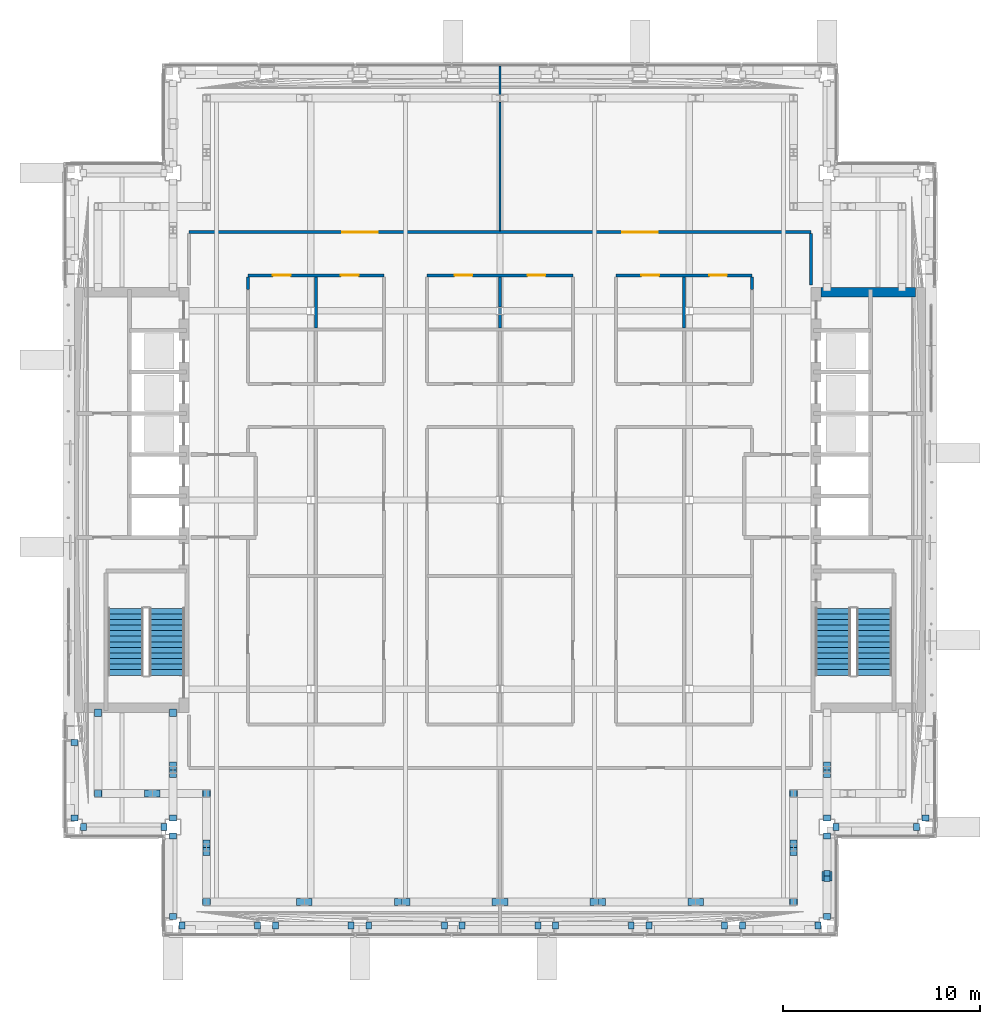
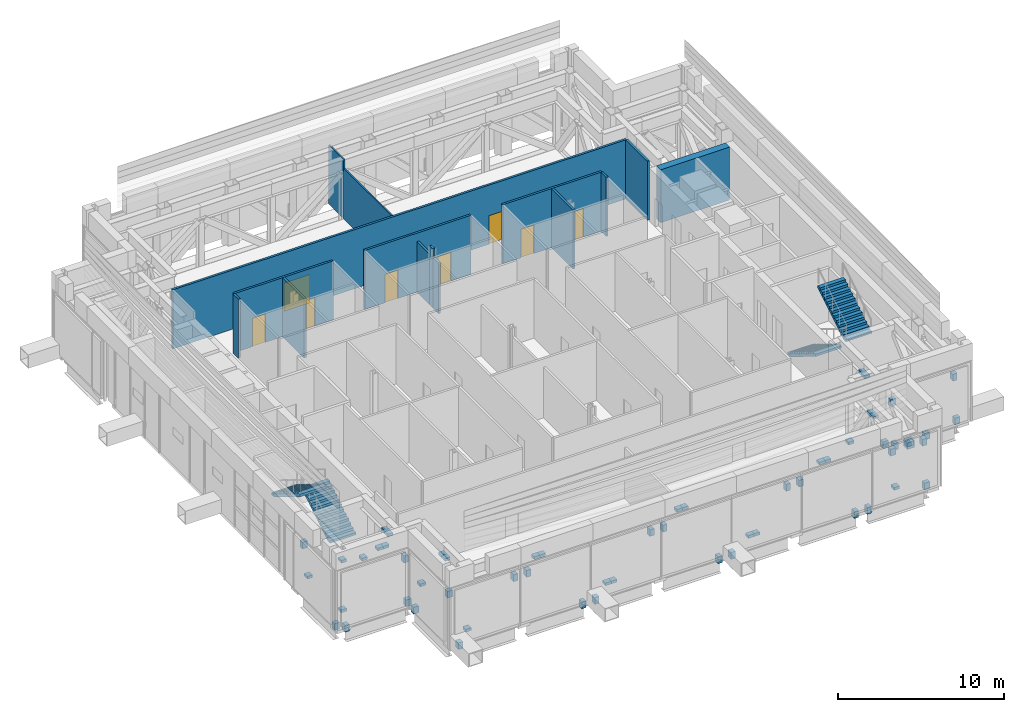
# One storey, part 14 of 29: 64 discrete accessories, 15 walls, 8 doors, 4 stair flights, 8 openings, 2 elements without a shape of their own.
"""IFC4 building model written with IfcOpenShell, lengths in metres."""

import ifcopenshell
import ifcopenshell.guid

model = None  # the IFC model being written
_history = None  # IfcOwnerHistory: only IFC2X3 demands one
_inside = {}  # id of a spatial element -> (the spatial element, [elements in it])
_under = {}  # id of a project, library or spatial element -> (it, [spatial elements below it])
_declared = {}  # id of a project -> (the project, [libraries it declares])
_typed = {}  # id of a type object -> (the type object, [elements of that type])
_made_of = {}  # id of a material, layer set ... -> (it, [elements and type objects made of it])


def new_model(schema):
    """Start an empty IFC model of exactly this schema.

    Asked for "IFC4X3", IfcOpenShell would pick the latest addendum, in which some entities
    have other attributes; the version numbers below select the first issue.
    IFC2X3 requires an IfcOwnerHistory on every rooted entity: one is made here for all.
    """
    global model, _history
    if schema == "IFC4X3":
        model = ifcopenshell.file(schema_version=(4, 3, 0, 0))
    else:
        model = ifcopenshell.file(schema=schema)
    _inside.clear()
    _under.clear()
    _declared.clear()
    _typed.clear()
    _made_of.clear()
    _history = None
    if model.schema == "IFC2X3":
        org = make("IfcOrganization", Name="unknown")
        user = make(
            "IfcPersonAndOrganization",
            ThePerson=make("IfcPerson", FamilyName="unknown"),
            TheOrganization=org,
        )
        app = make(
            "IfcApplication",
            ApplicationDeveloper=org,
            Version="unknown",
            ApplicationFullName="unknown",
            ApplicationIdentifier="unknown",
        )
        _history = make(
            "IfcOwnerHistory",
            OwningUser=user,
            OwningApplication=app,
            ChangeAction="ADDED",
            CreationDate=0,
        )
    return model


def make(cls, **values):
    """One entity of the class cls with the attributes given. An attribute that is None is left unset."""
    return model.create_entity(
        cls, **{name: value for name, value in values.items() if value is not None}
    )


def rooted(cls, **values):
    """An entity with a GlobalId (a new one), such as an element, a storey or a relation."""
    return make(cls, GlobalId=ifcopenshell.guid.new(), OwnerHistory=_history, **values)


def si_unit(unit_type, name, prefix=None):
    """IfcSIUnit, for example si_unit("LENGTHUNIT", "METRE", prefix="MILLI")."""
    return make("IfcSIUnit", UnitType=unit_type, Prefix=prefix, Name=name)


def assignment(units):
    """IfcUnitAssignment: the units of a project."""
    return None if units is None else make("IfcUnitAssignment", Units=units)


def point(xyz):
    """IfcCartesianPoint."""
    return None if xyz is None else make("IfcCartesianPoint", Coordinates=xyz)


def direction(xyz):
    """IfcDirection."""
    return None if xyz is None else make("IfcDirection", DirectionRatios=xyz)


def frame(location, z_axis=None, x_axis=None):
    """IfcAxis2Placement3D, a coordinate frame: its origin and axes. An axis left out is left unset."""
    return make(
        "IfcAxis2Placement3D",
        Location=point(location),
        Axis=direction(z_axis),
        RefDirection=direction(x_axis),
    )


def frame_2d(location, x_axis=None):
    """IfcAxis2Placement2D, a coordinate frame in the plane: its origin and x axis."""
    return make(
        "IfcAxis2Placement2D", Location=point(location), RefDirection=direction(x_axis)
    )


def origin():
    """The frame at (0, 0, 0) with its axes left unset."""
    return frame((0.0, 0.0, 0.0))


def origin_2d():
    """The frame at (0, 0) in the plane with its x axis left unset."""
    return frame_2d((0.0, 0.0))


def place(relative_to, where):
    """IfcLocalPlacement: puts the frame where relative to a parent placement (None: the world)."""
    return make(
        "IfcLocalPlacement", PlacementRelTo=relative_to, RelativePlacement=where
    )


def context(
    kind, dimensions, precision=None, world=None, true_north=None, identifier=None
):
    """IfcGeometricRepresentationContext, for example the 3D "Model" context."""
    return make(
        "IfcGeometricRepresentationContext",
        ContextIdentifier=identifier,
        ContextType=kind,
        CoordinateSpaceDimension=dimensions,
        Precision=precision,
        WorldCoordinateSystem=world,
        TrueNorth=true_north,
    )


def subcontext(parent, identifier, kind, view, scale=None):
    """IfcGeometricRepresentationSubContext, for example "Body" below "Model"."""
    return make(
        "IfcGeometricRepresentationSubContext",
        ContextIdentifier=identifier,
        ContextType=kind,
        ParentContext=parent,
        TargetScale=scale,
        TargetView=view,
    )


def project(units=None, contexts=None):
    """IfcProject with its units and contexts."""
    return rooted(
        "IfcProject",
        Name="project",
        RepresentationContexts=contexts,
        UnitsInContext=assignment(units),
    )


def spatial(cls, under=None, at=None, **own):
    """A site, building, storey or space (cls), placed at a placement, below another one or the project."""
    s = rooted(cls, ObjectPlacement=at, **own)
    if under is not None:
        _under.setdefault(under.id(), (under, []))[1].append(s)
    return s


def polyline(points):
    """IfcPolyline through the points."""
    return make("IfcPolyline", Points=[point(p) for p in points])


def profile(cls, at=None, kind="AREA", **sizes):
    """A parametric profile (cls). Its sizes go by their IFC names, for example OverallWidth=200.0."""
    return make(cls, ProfileType=kind, Position=at, **sizes)


def rectangle(**sizes):
    """IfcRectangleProfileDef."""
    return profile("IfcRectangleProfileDef", **sizes)


def outline(outer, holes=None, kind="AREA"):
    """IfcArbitraryClosedProfileDef: a profile drawn as a closed curve; with holes, ...WithVoids."""
    if holes is None:
        return make("IfcArbitraryClosedProfileDef", ProfileType=kind, OuterCurve=outer)
    return make(
        "IfcArbitraryProfileDefWithVoids",
        ProfileType=kind,
        OuterCurve=outer,
        InnerCurves=holes,
    )


def extrude(swept, where, along, depth):
    """IfcExtrudedAreaSolid: the profile swept, set in the frame where, extruded along a direction by depth."""
    return make(
        "IfcExtrudedAreaSolid",
        SweptArea=swept,
        Position=where,
        ExtrudedDirection=direction(along),
        Depth=depth,
    )


def shape(context_of_items, identifier, shape_type, items):
    """IfcShapeRepresentation: the items that make up one representation, for example the "Body"."""
    return make(
        "IfcShapeRepresentation",
        ContextOfItems=context_of_items,
        RepresentationIdentifier=identifier,
        RepresentationType=shape_type,
        Items=items,
    )


def material(Name=None, Category=None):
    """IfcMaterial."""
    return make("IfcMaterial", Name=Name, Category=Category)


def layer(
    of_material, thickness, ventilated=None, Name=None, Category=None, Priority=None
):
    """IfcMaterialLayer: one layer of a wall or slab, of a material (None: an air gap)."""
    return make(
        "IfcMaterialLayer",
        Material=of_material,
        LayerThickness=thickness,
        IsVentilated=ventilated,
        Name=Name,
        Category=Category,
        Priority=Priority,
    )


def layer_set(layers, Name=None):
    """IfcMaterialLayerSet."""
    return make("IfcMaterialLayerSet", MaterialLayers=layers, LayerSetName=Name)


def made_of(thing, what):
    """Note that an element or type object is made of a material, layer set ...; save() writes the relation."""
    if what is not None:
        _made_of.setdefault(what.id(), (what, []))[1].append(thing)
    return thing


def type_object(cls, material=None, **own):
    """A type object (cls), such as IfcWallType, which elements share."""
    return made_of(rooted(cls, **own), material)


def element(
    cls,
    number,
    at=None,
    inside=None,
    cuts=None,
    type_object=None,
    material=None,
    context=None,
    identifier="Body",
    shape_type=None,
    held_by="IfcProductDefinitionShape",
    body=None,
    shapes=None,
    **own,
):
    """One element of the class cls, such as IfcWall. Its Tag is "e" and its number.

    at: its placement. inside: the storey or other place that contains it. cuts: it is an
    opening in that element (IfcRelVoidsElement). A single representation is given by context,
    identifier, shape_type and body (its items); several are given by shapes. held_by: the class
    of the entity that holds the representations. save() writes the other relations.
    """
    e = rooted(cls, Tag="e%d" % number, ObjectPlacement=at, **own)
    if body is not None:
        shapes = [shape(context, identifier, shape_type, body)]
    if shapes is not None:
        e.Representation = make(held_by, Representations=shapes)
    if inside is not None:
        _inside.setdefault(inside.id(), (inside, []))[1].append(e)
    if cuts is not None:
        rooted(
            "IfcRelVoidsElement", RelatingBuildingElement=cuts, RelatedOpeningElement=e
        )
    if type_object is not None:
        _typed.setdefault(type_object.id(), (type_object, []))[1].append(e)
    return made_of(e, material)


def fill(opening, filler):
    """IfcRelFillsElement: the door or window that sits in an opening."""
    return rooted(
        "IfcRelFillsElement",
        RelatingOpeningElement=opening,
        RelatedBuildingElement=filler,
    )


def aggregate(whole, parts):
    """IfcRelAggregates: a whole, such as a stair, and the parts it consists of."""
    return rooted("IfcRelAggregates", RelatingObject=whole, RelatedObjects=parts)


def save(model, path):
    """Write the relations noted so far, then the file.

    IfcRelAggregates (storeys below a building ...), IfcRelContainedInSpatialStructure (elements
    in a storey), IfcRelDefinesByType, IfcRelAssociatesMaterial and IfcRelDeclares: one each for
    every whole, place, type object, material and project.
    """
    for whole, parts in _under.values():
        aggregate(whole, parts)
    for where, things in _inside.values():
        rooted(
            "IfcRelContainedInSpatialStructure",
            RelatedElements=things,
            RelatingStructure=where,
        )
    for kind, things in _typed.values():
        rooted("IfcRelDefinesByType", RelatedObjects=things, RelatingType=kind)
    for what, things in _made_of.values():
        rooted("IfcRelAssociatesMaterial", RelatedObjects=things, RelatingMaterial=what)
    for by, libraries in _declared.values():
        rooted("IfcRelDeclares", RelatingContext=by, RelatedDefinitions=libraries)
    model.write(path)


model = new_model("IFC4")

# Units and contexts
model_context = context("Model", 3, precision=1e-05, world=origin(), true_north=direction((0.0, 1.0)))
body_context = subcontext(model_context, "Body", "Model", "MODEL_VIEW")
ifc_project = project(units=[si_unit("LENGTHUNIT", "METRE"), si_unit("AREAUNIT", "SQUARE_METRE"), si_unit("VOLUMEUNIT", "CUBIC_METRE"), si_unit("PLANEANGLEUNIT", "RADIAN"), si_unit("MASSUNIT", "GRAM", prefix="KILO")], contexts=[model_context])

# Site, building, storey
site_placement = place(None, origin())
site = spatial("IfcSite", under=ifc_project, at=site_placement, CompositionType="ELEMENT")
building_placement = place(site_placement, origin())
building = spatial("IfcBuilding", under=site, at=building_placement, Name="Cobrizo Arcos Hotel Tower", CompositionType="ELEMENT")
storey_placement = place(building_placement, frame((0.0, 0.0, 186.5)))
storey = spatial("IfcBuildingStorey", under=building, at=storey_placement, Name="L48", CompositionType="ELEMENT", Elevation=186.5)

# Wall, openings, doors
ifc_material_1 = material(Name="Gypsum board partition")
ifc_layer_1 = layer(ifc_material_1, 0.14990234375)
ifc_layer_set_1 = layer_set([ifc_layer_1], Name="Corridor wall EI 60 150")
wall_type_1 = type_object("IfcWallType", Name="Corridor wall EI 60 150", PredefinedType="PARTITIONING", material=ifc_layer_set_1)
wall_1_placement = place(storey_placement, frame((-12.800048828125, 11.39990234375, 0.0), z_axis=(0.0, 0.0, 1.0), x_axis=(1.0, 0.0, 0.0)))
wall_1 = element("IfcWall", 1, at=wall_1_placement, inside=storey, type_object=wall_type_1, Name="Partition 035", PredefinedType="PARTITIONING", context=body_context, shape_type="SweptSolid", body=[
    extrude(rectangle(XDim=6.900146484375, YDim=0.14990234375, at=frame_2d((3.4501953125, 0.0))), origin(), (0.0, 0.0, 1.0), 4.35009765625),
])
opening_1_placement = place(wall_1_placement, frame((1.27490234375, 0.0, 0.0)))
opening_1 = element("IfcOpeningElement", 2, at=opening_1_placement, cuts=wall_1, Name="Opening RD-30", PredefinedType="OPENING", context=body_context, shape_type="SweptSolid", body=[
    extrude(rectangle(XDim=0.89990234375, YDim=2.10009765625, at=frame_2d((0.449951171875, 1.050048828125))), frame((0.0, 0.0869140625, 0.0), z_axis=(0.0, -1.0, 0.0), x_axis=(1.0, 0.0, 0.0)), (0.0, 0.0, 1.0), 0.173828125),
])
opening_2_placement = place(wall_1_placement, frame((4.72509765625, 0.0, 0.0)))
opening_2 = element("IfcOpeningElement", 3, at=opening_2_placement, cuts=wall_1, Name="Opening RD-32", PredefinedType="OPENING", context=body_context, shape_type="SweptSolid", body=[
    extrude(rectangle(XDim=0.89990234375, YDim=2.10009765625, at=frame_2d((0.449951171875, 1.050048828125))), frame((0.0, 0.0869140625, 0.0), z_axis=(0.0, -1.0, 0.0), x_axis=(1.0, 0.0, 0.0)), (0.0, 0.0, 1.0), 0.173828125),
])
ifc_material_2 = material(Name="Timber door leaf", Category="wood")
door_type_1 = type_object("IfcDoorType", Name="Room door FD30 900x2100", OperationType="SINGLE_SWING_LEFT", PredefinedType="DOOR", material=ifc_material_2)
door_1_placement = place(opening_1_placement, origin())
door_1 = element("IfcDoor", 4, at=door_1_placement, inside=storey, type_object=door_type_1, Name="Door RD-30", OperationType="SINGLE_SWING_RIGHT", OverallHeight=2.10009765625, OverallWidth=0.89990234375, PredefinedType="DOOR", context=body_context, shape_type="SweptSolid", body=[
    extrude(rectangle(XDim=0.89990234375, YDim=2.10009765625, at=frame_2d((0.449951171875, 1.050048828125))), frame((0.0, 0.02490234375, 0.0), z_axis=(0.0, -1.0, 0.0), x_axis=(1.0, 0.0, 0.0)), (0.0, 0.0, 1.0), 0.050048828125),
])
fill(opening_1, door_1)
door_2_placement = place(opening_2_placement, origin())
door_2 = element("IfcDoor", 5, at=door_2_placement, inside=storey, type_object=door_type_1, Name="Door RD-32", OperationType="SINGLE_SWING_RIGHT", OverallHeight=2.10009765625, OverallWidth=0.89990234375, PredefinedType="DOOR", context=body_context, shape_type="SweptSolid", body=[
    extrude(rectangle(XDim=0.89990234375, YDim=2.10009765625, at=frame_2d((0.449951171875, 1.050048828125))), frame((0.0, 0.02490234375, 0.0), z_axis=(0.0, -1.0, 0.0), x_axis=(1.0, 0.0, 0.0)), (0.0, 0.0, 1.0), 0.050048828125),
])
fill(opening_2, door_2)

wall_2_placement = place(storey_placement, frame((-3.699951171875, 11.39990234375, 0.0), z_axis=(0.0, 0.0, 1.0), x_axis=(1.0, 0.0, 0.0)))
wall_2 = element("IfcWall", 6, at=wall_2_placement, inside=storey, type_object=wall_type_1, Name="Partition 036", PredefinedType="PARTITIONING", context=body_context, shape_type="SweptSolid", body=[
    extrude(rectangle(XDim=7.39990234375, YDim=0.14990234375, at=frame_2d((3.699951171875, 0.0))), origin(), (0.0, 0.0, 1.0), 4.35009765625),
])
opening_3_placement = place(wall_2_placement, frame((1.39990234375, 0.0, 0.0)))
opening_3 = element("IfcOpeningElement", 7, at=opening_3_placement, cuts=wall_2, Name="Opening RD-22", PredefinedType="OPENING", context=body_context, shape_type="SweptSolid", body=[
    extrude(rectangle(XDim=0.89990234375, YDim=2.10009765625, at=frame_2d((0.449951171875, 1.050048828125))), frame((0.0, 0.0869140625, 0.0), z_axis=(0.0, -1.0, 0.0), x_axis=(1.0, 0.0, 0.0)), (0.0, 0.0, 1.0), 0.173828125),
])
opening_4_placement = place(wall_2_placement, frame((5.10009765625, 0.0, 0.0)))
opening_4 = element("IfcOpeningElement", 8, at=opening_4_placement, cuts=wall_2, Name="Opening RD-24", PredefinedType="OPENING", context=body_context, shape_type="SweptSolid", body=[
    extrude(rectangle(XDim=0.89990234375, YDim=2.10009765625, at=frame_2d((0.449951171875, 1.050048828125))), frame((0.0, 0.0869140625, 0.0), z_axis=(0.0, -1.0, 0.0), x_axis=(1.0, 0.0, 0.0)), (0.0, 0.0, 1.0), 0.173828125),
])
door_3_placement = place(opening_3_placement, origin())
door_3 = element("IfcDoor", 9, at=door_3_placement, inside=storey, type_object=door_type_1, Name="Door RD-22", OperationType="SINGLE_SWING_LEFT", OverallHeight=2.10009765625, OverallWidth=0.89990234375, PredefinedType="DOOR", context=body_context, shape_type="SweptSolid", body=[
    extrude(rectangle(XDim=0.89990234375, YDim=2.10009765625, at=frame_2d((0.449951171875, 1.050048828125))), frame((0.0, 0.02490234375, 0.0), z_axis=(0.0, -1.0, 0.0), x_axis=(1.0, 0.0, 0.0)), (0.0, 0.0, 1.0), 0.050048828125),
])
fill(opening_3, door_3)
door_4_placement = place(opening_4_placement, origin())
door_4 = element("IfcDoor", 10, at=door_4_placement, inside=storey, type_object=door_type_1, Name="Door RD-24", OperationType="SINGLE_SWING_RIGHT", OverallHeight=2.10009765625, OverallWidth=0.89990234375, PredefinedType="DOOR", context=body_context, shape_type="SweptSolid", body=[
    extrude(rectangle(XDim=0.89990234375, YDim=2.10009765625, at=frame_2d((0.449951171875, 1.050048828125))), frame((0.0, 0.02490234375, 0.0), z_axis=(0.0, -1.0, 0.0), x_axis=(1.0, 0.0, 0.0)), (0.0, 0.0, 1.0), 0.050048828125),
])
fill(opening_4, door_4)

wall_3_placement = place(storey_placement, frame((5.89990234375, 11.39990234375, 0.0), z_axis=(0.0, 0.0, 1.0), x_axis=(1.0, 0.0, 0.0)))
wall_3 = element("IfcWall", 11, at=wall_3_placement, inside=storey, type_object=wall_type_1, Name="Partition 037", PredefinedType="PARTITIONING", context=body_context, shape_type="SweptSolid", body=[
    extrude(rectangle(XDim=6.900146484375, YDim=0.14990234375, at=frame_2d((3.4501953125, 0.0))), origin(), (0.0, 0.0, 1.0), 4.35009765625),
])
opening_5_placement = place(wall_3_placement, frame((1.27490234375, 0.0, 0.0)))
opening_5 = element("IfcOpeningElement", 12, at=opening_5_placement, cuts=wall_3, Name="Opening RD-14", PredefinedType="OPENING", context=body_context, shape_type="SweptSolid", body=[
    extrude(rectangle(XDim=0.89990234375, YDim=2.10009765625, at=frame_2d((0.449951171875, 1.050048828125))), frame((0.0, 0.0869140625, 0.0), z_axis=(0.0, -1.0, 0.0), x_axis=(1.0, 0.0, 0.0)), (0.0, 0.0, 1.0), 0.173828125),
])
opening_6_placement = place(wall_3_placement, frame((4.72509765625, 0.0, 0.0)))
opening_6 = element("IfcOpeningElement", 13, at=opening_6_placement, cuts=wall_3, Name="Opening RD-16", PredefinedType="OPENING", context=body_context, shape_type="SweptSolid", body=[
    extrude(rectangle(XDim=0.89990234375, YDim=2.10009765625, at=frame_2d((0.449951171875, 1.050048828125))), frame((0.0, 0.0869140625, 0.0), z_axis=(0.0, -1.0, 0.0), x_axis=(1.0, 0.0, 0.0)), (0.0, 0.0, 1.0), 0.173828125),
])
door_5_placement = place(opening_5_placement, origin())
door_5 = element("IfcDoor", 14, at=door_5_placement, inside=storey, type_object=door_type_1, Name="Door RD-14", OperationType="SINGLE_SWING_LEFT", OverallHeight=2.10009765625, OverallWidth=0.89990234375, PredefinedType="DOOR", context=body_context, shape_type="SweptSolid", body=[
    extrude(rectangle(XDim=0.89990234375, YDim=2.10009765625, at=frame_2d((0.449951171875, 1.050048828125))), frame((0.0, 0.02490234375, 0.0), z_axis=(0.0, -1.0, 0.0), x_axis=(1.0, 0.0, 0.0)), (0.0, 0.0, 1.0), 0.050048828125),
])
fill(opening_5, door_5)
door_6_placement = place(opening_6_placement, origin())
door_6 = element("IfcDoor", 15, at=door_6_placement, inside=storey, type_object=door_type_1, Name="Door RD-16", OperationType="SINGLE_SWING_RIGHT", OverallHeight=2.10009765625, OverallWidth=0.89990234375, PredefinedType="DOOR", context=body_context, shape_type="SweptSolid", body=[
    extrude(rectangle(XDim=0.89990234375, YDim=2.10009765625, at=frame_2d((0.449951171875, 1.050048828125))), frame((0.0, 0.02490234375, 0.0), z_axis=(0.0, -1.0, 0.0), x_axis=(1.0, 0.0, 0.0)), (0.0, 0.0, 1.0), 0.050048828125),
])
fill(opening_6, door_6)

wall_4_placement = place(storey_placement, frame((-15.800048828125, 13.60009765625, 0.0), z_axis=(0.0, 0.0, 1.0), x_axis=(1.0, 0.0, 0.0)))
wall_4 = element("IfcWall", 16, at=wall_4_placement, inside=storey, type_object=wall_type_1, Name="Partition 038", PredefinedType="PARTITIONING", context=body_context, shape_type="SweptSolid", body=[
    extrude(rectangle(XDim=31.60009765625, YDim=0.14990234375, at=frame_2d((15.800048828125, 0.0))), origin(), (0.0, 0.0, 1.0), 4.35009765625),
])
opening_7_placement = place(wall_4_placement, frame((7.785888671875, 0.0, 0.0)))
opening_7 = element("IfcOpeningElement", 17, at=opening_7_placement, cuts=wall_4, Name="Opening DD-01", PredefinedType="OPENING", context=body_context, shape_type="SweptSolid", body=[
    extrude(rectangle(XDim=1.800048828125, YDim=2.10009765625, at=frame_2d((0.89990234375, 1.050048828125))), frame((0.0, 0.0869140625, 0.0), z_axis=(0.0, -1.0, 0.0), x_axis=(1.0, 0.0, 0.0)), (0.0, 0.0, 1.0), 0.173828125),
])
opening_8_placement = place(wall_4_placement, frame((22.014892578125, 0.0, 0.0)))
opening_8 = element("IfcOpeningElement", 18, at=opening_8_placement, cuts=wall_4, Name="Opening DD-02", PredefinedType="OPENING", context=body_context, shape_type="SweptSolid", body=[
    extrude(rectangle(XDim=1.800048828125, YDim=2.10009765625, at=frame_2d((0.89990234375, 1.050048828125))), frame((0.0, 0.0869140625, 0.0), z_axis=(0.0, -1.0, 0.0), x_axis=(1.0, 0.0, 0.0)), (0.0, 0.0, 1.0), 0.173828125),
])
door_type_2 = type_object("IfcDoorType", Name="Double door FD30 1800x2100", OperationType="DOUBLE_DOOR_SINGLE_SWING", PredefinedType="DOOR", material=ifc_material_2)
door_7_placement = place(opening_7_placement, origin())
door_7 = element("IfcDoor", 19, at=door_7_placement, inside=storey, type_object=door_type_2, Name="Door DD-01", OperationType="DOUBLE_DOOR_SINGLE_SWING", OverallHeight=2.10009765625, OverallWidth=1.800048828125, PredefinedType="DOOR", context=body_context, shape_type="SweptSolid", body=[
    extrude(rectangle(XDim=1.800048828125, YDim=2.10009765625, at=frame_2d((0.89990234375, 1.050048828125))), frame((0.0, 0.02490234375, 0.0), z_axis=(0.0, -1.0, 0.0), x_axis=(1.0, 0.0, 0.0)), (0.0, 0.0, 1.0), 0.050048828125),
])
fill(opening_7, door_7)
door_8_placement = place(opening_8_placement, origin())
door_8 = element("IfcDoor", 20, at=door_8_placement, inside=storey, type_object=door_type_2, Name="Door DD-02", OperationType="DOUBLE_DOOR_SINGLE_SWING", OverallHeight=2.10009765625, OverallWidth=1.800048828125, PredefinedType="DOOR", context=body_context, shape_type="SweptSolid", body=[
    extrude(rectangle(XDim=1.800048828125, YDim=2.10009765625, at=frame_2d((0.89990234375, 1.050048828125))), frame((0.0, 0.02490234375, 0.0), z_axis=(0.0, -1.0, 0.0), x_axis=(1.0, 0.0, 0.0)), (0.0, 0.0, 1.0), 0.050048828125),
])
fill(opening_8, door_8)

# Walls
wall_5_placement = place(storey_placement, frame((-12.800048828125, 10.699951171875, 0.0), z_axis=(0.0, 0.0, 1.0), x_axis=(0.0, 1.0, 0.0)))
element("IfcWall", 21, at=wall_5_placement, inside=storey, type_object=wall_type_1, Name="Partition 048", PredefinedType="PARTITIONING", context=body_context, shape_type="SweptSolid", body=[
    extrude(rectangle(XDim=0.625, YDim=0.14990234375, at=frame_2d((0.3125, 0.0))), origin(), (0.0, 0.0, 1.0), 4.35009765625),
])
wall_6_placement = place(storey_placement, frame((-9.35009765625, 8.72509765625, 0.0), z_axis=(0.0, 0.0, 1.0), x_axis=(0.0, 1.0, 0.0)))
element("IfcWall", 22, at=wall_6_placement, inside=storey, type_object=wall_type_1, Name="Partition 053", PredefinedType="PARTITIONING", context=body_context, shape_type="SweptSolid", body=[
    extrude(rectangle(XDim=2.599853515625, YDim=0.14990234375, at=frame_2d((1.2998046875, 0.0))), origin(), (0.0, 0.0, 1.0), 4.35009765625),
])
wall_7_placement = place(storey_placement, frame((0.0, 8.72509765625, 0.0), z_axis=(0.0, 0.0, 1.0), x_axis=(0.0, 1.0, 0.0)))
element("IfcWall", 23, at=wall_7_placement, inside=storey, type_object=wall_type_1, Name="Partition 067", PredefinedType="PARTITIONING", context=body_context, shape_type="SweptSolid", body=[
    extrude(rectangle(XDim=0.68798828125, YDim=0.14990234375, at=frame_2d((0.343994140625, 0.0))), origin(), (0.0, 0.0, 1.0), 3.72802734375),
])
wall_8_placement = place(storey_placement, frame((0.0, 9.4130859375, 0.0), z_axis=(0.0, 0.0, 1.0), x_axis=(0.0, 1.0, 0.0)))
element("IfcWall", 24, at=wall_8_placement, inside=storey, type_object=wall_type_1, Name="Partition 068", PredefinedType="PARTITIONING", context=body_context, shape_type="SweptSolid", body=[
    extrude(rectangle(XDim=0.3740234375, YDim=0.14990234375, at=frame_2d((0.18701171875, 0.0))), origin(), (0.0, 0.0, 1.0), 4.35009765625),
])
wall_9_placement = place(storey_placement, frame((0.0, 9.787109375, 0.0), z_axis=(0.0, 0.0, 1.0), x_axis=(0.0, 1.0, 0.0)))
element("IfcWall", 25, at=wall_9_placement, inside=storey, type_object=wall_type_1, Name="Partition 069", PredefinedType="PARTITIONING", context=body_context, shape_type="SweptSolid", body=[
    extrude(rectangle(XDim=1.537841796875, YDim=0.14990234375, at=frame_2d((0.76904296875, 0.0))), origin(), (0.0, 0.0, 1.0), 3.72802734375),
])
wall_10_placement = place(storey_placement, frame((9.35009765625, 8.72509765625, 0.0), z_axis=(0.0, 0.0, 1.0), x_axis=(0.0, 1.0, 0.0)))
element("IfcWall", 26, at=wall_10_placement, inside=storey, type_object=wall_type_1, Name="Partition 079", PredefinedType="PARTITIONING", context=body_context, shape_type="SweptSolid", body=[
    extrude(rectangle(XDim=2.599853515625, YDim=0.14990234375, at=frame_2d((1.2998046875, 0.0))), origin(), (0.0, 0.0, 1.0), 4.35009765625),
])
wall_11_placement = place(storey_placement, frame((12.800048828125, 10.699951171875, 0.0), z_axis=(0.0, 0.0, 1.0), x_axis=(0.0, 1.0, 0.0)))
element("IfcWall", 27, at=wall_11_placement, inside=storey, type_object=wall_type_1, Name="Partition 084", PredefinedType="PARTITIONING", context=body_context, shape_type="SweptSolid", body=[
    extrude(rectangle(XDim=0.625, YDim=0.14990234375, at=frame_2d((0.3125, 0.0))), origin(), (0.0, 0.0, 1.0), 4.35009765625),
])
wall_12_placement = place(storey_placement, frame((15.800048828125, 10.919921875, 0.0), z_axis=(0.0, 0.0, 1.0), x_axis=(0.0, 1.0, 0.0)))
element("IfcWall", 28, at=wall_12_placement, inside=storey, type_object=wall_type_1, Name="Partition 086", PredefinedType="PARTITIONING", context=body_context, shape_type="SweptSolid", body=[
    extrude(rectangle(XDim=2.60498046875, YDim=0.14990234375, at=frame_2d((1.302490234375, 0.0))), origin(), (0.0, 0.0, 1.0), 4.35009765625),
])
ifc_layer_2 = layer(ifc_material_1, 0.10009765625)
ifc_layer_set_2 = layer_set([ifc_layer_2], Name="Partition EI 30 100")
wall_type_2 = type_object("IfcWallType", Name="Partition EI 30 100", PredefinedType="PARTITIONING", material=ifc_layer_set_2)
wall_13_placement = place(storey_placement, frame((0.0, 13.675048828125, 0.0), z_axis=(0.0, 0.0, 1.0), x_axis=(0.0, 1.0, 0.0)))
element("IfcWall", 29, at=wall_13_placement, inside=storey, type_object=wall_type_2, Name="Partition 070", PredefinedType="PARTITIONING", context=body_context, shape_type="SweptSolid", body=[
    extrude(rectangle(XDim=6.52490234375, YDim=0.10009765625, at=frame_2d((3.262451171875, 0.0))), origin(), (0.0, 0.0, 1.0), 3.72802734375),
])
wall_14_placement = place(storey_placement, frame((0.0, 20.199462890625, 0.0), z_axis=(0.0, 0.0, 1.0), x_axis=(0.0, 1.0, 0.0)))
element("IfcWall", 30, at=wall_14_placement, inside=storey, type_object=wall_type_2, Name="Partition 071", PredefinedType="PARTITIONING", context=body_context, shape_type="SweptSolid", body=[
    extrude(rectangle(XDim=1.83056640625, YDim=0.10009765625, at=frame_2d((0.915283203125, 0.0))), origin(), (0.0, 0.0, 1.0), 4.35009765625),
])
ifc_material_3 = material(Name="Concrete f'c 50 MPa", Category="concrete")
ifc_layer_3 = layer(ifc_material_3, 0.5)
ifc_layer_set_3 = layer_set([ifc_layer_3], Name="RC core wall 500 f'c 50")
wall_type_3 = type_object("IfcWallType", Name="RC core wall 500 f'c 50", PredefinedType="SHEAR", material=ifc_layer_set_3)
wall_15_placement = place(storey_placement, frame((16.300048828125, 10.550048828125, 0.0), z_axis=(0.0, 0.0, 1.0), x_axis=(1.0, 0.0, 0.0)))
element("IfcWall", 31, at=wall_15_placement, inside=storey, type_object=wall_type_3, Name="Core wall CW3, east core, north end, L48", PredefinedType="SHEAR", context=body_context, shape_type="SweptSolid", body=[
    extrude(rectangle(XDim=4.800048828125, YDim=0.5, at=frame_2d((2.39990234375, 0.0))), origin(), (0.0, 0.0, 1.0), 3.89990234375),
])

# Stair, stair flights
ifc_material_4 = material(Name="Concrete f'c 40 MPa", Category="concrete")
stair_type = type_object("IfcStairType", Name="Exit stair", PredefinedType="HALF_TURN_STAIR", material=ifc_material_4)
stair_1_placement = place(storey_placement, origin())
stair_1 = element("IfcStair", 32, at=stair_1_placement, inside=storey, type_object=stair_type, Name="L48 Exit stair ST-W", PredefinedType="HALF_TURN_STAIR")
stair_flight_type = type_object("IfcStairFlightType", Name="Exit stair flight", PredefinedType="STRAIGHT", material=ifc_material_4)
stair_flight_1_placement = place(storey_placement, frame((-16.89990234375, -8.89990234375, 0.0), z_axis=(0.0, 0.0, 1.0), x_axis=(0.0, 1.0, 0.0)))
stair_flight_1 = element("IfcStairFlight", 33, at=stair_flight_1_placement, type_object=stair_flight_type, Name="ST-W flight 1", NumberOfRisers=13, NumberOfTreads=12, PredefinedType="STRAIGHT", RiserHeight=0.173076923, TreadLength=0.283333333, context=body_context, shape_type="SweptSolid", body=[
    extrude(outline(polyline([(0.0, 0.0), (0.0, 0.173095703125), (0.283447265625, 0.173095703125), (0.283447265625, 0.34619140625), (0.566650390625, 0.34619140625), (0.566650390625, 0.519287109375), (0.85009765625, 0.519287109375), (0.85009765625, 0.6923828125), (1.13330078125, 0.6923828125), (1.13330078125, 0.865478515625), (1.416748046875, 0.865478515625), (1.416748046875, 1.03857421875), (1.699951171875, 1.03857421875), (1.699951171875, 1.21142578125), (1.9833984375, 1.21142578125), (1.9833984375, 1.384521484375), (2.2666015625, 1.384521484375), (2.2666015625, 1.5576171875), (2.550048828125, 1.5576171875), (2.550048828125, 1.730712890625), (2.833251953125, 1.730712890625), (2.833251953125, 1.90380859375), (3.11669921875, 1.90380859375), (3.11669921875, 2.076904296875), (3.39990234375, 2.076904296875), (3.39990234375, 2.25), (3.39990234375, 1.9013671875), (0.28759765625, 0.0), (0.0, 0.0)])), frame((0.0, 0.89990234375, 0.0), z_axis=(0.0, -1.0, 0.0), x_axis=(1.0, 0.0, 0.0)), (0.0, 0.0, 1.0), 1.800048828125),
])
stair_flight_2_placement = place(storey_placement, frame((-19.0, -5.5, 2.25), z_axis=(0.0, 0.0, 1.0), x_axis=(0.0, -1.0, 0.0)))
stair_flight_2 = element("IfcStairFlight", 34, at=stair_flight_2_placement, type_object=stair_flight_type, Name="ST-W flight 2", NumberOfRisers=13, NumberOfTreads=12, PredefinedType="STRAIGHT", RiserHeight=0.173076923, TreadLength=0.283333333, context=body_context, shape_type="SweptSolid", body=[
    extrude(outline(polyline([(0.0, 0.0), (0.0, 0.173095703125), (0.283447265625, 0.173095703125), (0.283447265625, 0.34619140625), (0.566650390625, 0.34619140625), (0.566650390625, 0.519287109375), (0.85009765625, 0.519287109375), (0.85009765625, 0.6923828125), (1.13330078125, 0.6923828125), (1.13330078125, 0.865478515625), (1.416748046875, 0.865478515625), (1.416748046875, 1.03857421875), (1.699951171875, 1.03857421875), (1.699951171875, 1.21142578125), (1.9833984375, 1.21142578125), (1.9833984375, 1.384521484375), (2.2666015625, 1.384521484375), (2.2666015625, 1.5576171875), (2.550048828125, 1.5576171875), (2.550048828125, 1.730712890625), (2.833251953125, 1.730712890625), (2.833251953125, 1.90380859375), (3.11669921875, 1.90380859375), (3.11669921875, 2.076904296875), (3.39990234375, 2.076904296875), (3.39990234375, 2.25), (3.39990234375, 1.9013671875), (0.28759765625, 0.0), (0.0, 0.0)])), frame((0.0, 0.89990234375, 0.0), z_axis=(0.0, -1.0, 0.0), x_axis=(1.0, 0.0, 0.0)), (0.0, 0.0, 1.0), 1.800048828125),
])
aggregate(stair_1, [stair_flight_1, stair_flight_2])

stair_2_placement = place(storey_placement, origin())
stair_2 = element("IfcStair", 35, at=stair_2_placement, inside=storey, type_object=stair_type, Name="L48 Exit stair ST-E", PredefinedType="HALF_TURN_STAIR")
stair_flight_3_placement = place(storey_placement, frame((16.89990234375, -5.5, 0.0), z_axis=(0.0, 0.0, 1.0), x_axis=(0.0, -1.0, 0.0)))
stair_flight_3 = element("IfcStairFlight", 36, at=stair_flight_3_placement, type_object=stair_flight_type, Name="ST-E flight 1", NumberOfRisers=13, NumberOfTreads=12, PredefinedType="STRAIGHT", RiserHeight=0.173076923, TreadLength=0.283333333, context=body_context, shape_type="SweptSolid", body=[
    extrude(outline(polyline([(0.0, 0.0), (0.0, 0.173095703125), (0.283447265625, 0.173095703125), (0.283447265625, 0.34619140625), (0.566650390625, 0.34619140625), (0.566650390625, 0.519287109375), (0.85009765625, 0.519287109375), (0.85009765625, 0.6923828125), (1.13330078125, 0.6923828125), (1.13330078125, 0.865478515625), (1.416748046875, 0.865478515625), (1.416748046875, 1.03857421875), (1.699951171875, 1.03857421875), (1.699951171875, 1.21142578125), (1.9833984375, 1.21142578125), (1.9833984375, 1.384521484375), (2.2666015625, 1.384521484375), (2.2666015625, 1.5576171875), (2.550048828125, 1.5576171875), (2.550048828125, 1.730712890625), (2.833251953125, 1.730712890625), (2.833251953125, 1.90380859375), (3.11669921875, 1.90380859375), (3.11669921875, 2.076904296875), (3.39990234375, 2.076904296875), (3.39990234375, 2.25), (3.39990234375, 1.9013671875), (0.28759765625, 0.0), (0.0, 0.0)])), frame((0.0, 0.89990234375, 0.0), z_axis=(0.0, -1.0, 0.0), x_axis=(1.0, 0.0, 0.0)), (0.0, 0.0, 1.0), 1.800048828125),
])
stair_flight_4_placement = place(storey_placement, frame((19.0, -8.89990234375, 2.25), z_axis=(0.0, 0.0, 1.0), x_axis=(0.0, 1.0, 0.0)))
stair_flight_4 = element("IfcStairFlight", 37, at=stair_flight_4_placement, type_object=stair_flight_type, Name="ST-E flight 2", NumberOfRisers=13, NumberOfTreads=12, PredefinedType="STRAIGHT", RiserHeight=0.173076923, TreadLength=0.283333333, context=body_context, shape_type="SweptSolid", body=[
    extrude(outline(polyline([(0.0, 0.0), (0.0, 0.173095703125), (0.283447265625, 0.173095703125), (0.283447265625, 0.34619140625), (0.566650390625, 0.34619140625), (0.566650390625, 0.519287109375), (0.85009765625, 0.519287109375), (0.85009765625, 0.6923828125), (1.13330078125, 0.6923828125), (1.13330078125, 0.865478515625), (1.416748046875, 0.865478515625), (1.416748046875, 1.03857421875), (1.699951171875, 1.03857421875), (1.699951171875, 1.21142578125), (1.9833984375, 1.21142578125), (1.9833984375, 1.384521484375), (2.2666015625, 1.384521484375), (2.2666015625, 1.5576171875), (2.550048828125, 1.5576171875), (2.550048828125, 1.730712890625), (2.833251953125, 1.730712890625), (2.833251953125, 1.90380859375), (3.11669921875, 1.90380859375), (3.11669921875, 2.076904296875), (3.39990234375, 2.076904296875), (3.39990234375, 2.25), (3.39990234375, 1.9013671875), (0.28759765625, 0.0), (0.0, 0.0)])), frame((0.0, 0.89990234375, 0.0), z_axis=(0.0, -1.0, 0.0), x_axis=(1.0, 0.0, 0.0)), (0.0, 0.0, 1.0), 1.800048828125),
])
aggregate(stair_2, [stair_flight_3, stair_flight_4])

# Discrete accessories
ifc_material_5 = material(Name="Steel ASTM A572 Grade 50", Category="steel")
discrete_accessory_type_1 = type_object("IfcDiscreteAccessoryType", Name="GP-2 node plate block 500x500x500", PredefinedType="BRACKET", material=ifc_material_5)
discrete_accessory_placement = place(storey_placement, frame((16.60009765625, -19.10009765625, 1.27978515625), z_axis=(0.0, 0.0, 1.0), x_axis=(1.0, 0.0, 0.0)))
element("IfcDiscreteAccessory", 38, at=discrete_accessory_placement, inside=storey, type_object=discrete_accessory_type_1, Name="Gusset plate bt-td-L48-008", PredefinedType="BRACKET", context=body_context, shape_type="SweptSolid", body=[
    extrude(rectangle(XDim=0.5, YDim=0.5, at=origin_2d()), origin(), (0.0, 0.0, 1.0), 0.5),
])
discrete_accessory_type_2 = type_object("IfcDiscreteAccessoryType", Name="GP-3 truss end block 300x360x500", PredefinedType="BRACKET", material=ifc_material_5)
for number, where, z_axis, x_axis, name in (
    (39, (-16.14990234375, -21.60009765625, -0.550048828125), (0.0, 0.0, 1.0), (1.0, 0.0, 0.0), "Truss end block"),
    (40, (-12.306884765625, -21.60009765625, 3.109375), (0.0, 0.0, 1.0), (-1.0, 0.0, 0.0), "Truss end block"),
    (41, (-11.406982421875, -21.60009765625, 3.109375), (0.0, 0.0, 1.0), (1.0, 0.0, 0.0), "Truss end block"),
    (42, (-7.56396484375, -21.60009765625, -0.550048828125), (0.0, 0.0, 1.0), (-1.0, 0.0, 0.0), "Truss end block"),
    (43, (-6.6640625, -21.60009765625, -0.550048828125), (0.0, 0.0, 1.0), (1.0, 0.0, 0.0), "Truss end block"),
    (44, (-2.821044921875, -21.60009765625, 3.109375), (0.0, 0.0, 1.0), (-1.0, 0.0, 0.0), "Truss end block"),
    (45, (-1.9208984375, -21.60009765625, 3.109375), (0.0, 0.0, 1.0), (1.0, 0.0, 0.0), "Truss end block"),
    (46, (1.9208984375, -21.60009765625, -0.550048828125), (0.0, 0.0, 1.0), (-1.0, 0.0, 0.0), "Truss end block"),
    (47, (2.821044921875, -21.60009765625, -0.550048828125), (0.0, 0.0, 1.0), (1.0, 0.0, 0.0), "Truss end block"),
    (48, (6.6640625, -21.60009765625, 3.109375), (0.0, 0.0, 1.0), (-1.0, 0.0, 0.0), "Truss end block"),
    (49, (7.56396484375, -21.60009765625, 3.109375), (0.0, 0.0, 1.0), (1.0, 0.0, 0.0), "Truss end block"),
    (50, (11.406982421875, -21.60009765625, -0.550048828125), (0.0, 0.0, 1.0), (-1.0, 0.0, 0.0), "Truss end block"),
    (51, (12.306884765625, -21.60009765625, -0.550048828125), (0.0, 0.0, 1.0), (1.0, 0.0, 0.0), "Truss end block"),
    (52, (16.14990234375, -21.60009765625, 3.109375), (0.0, 0.0, 1.0), (-1.0, 0.0, 0.0), "Truss end block"),
    (53, (16.60009765625, -21.14990234375, -0.550048828125), (0.0, 0.0, 1.0), (0.0, 1.0, 0.0), "Truss end block"),
    (54, (16.60009765625, -17.050048828125, 3.109375), (0.0, 0.0, 1.0), (0.0, -1.0, 0.0), "Truss end block"),
    (55, (17.050048828125, -16.60009765625, -0.550048828125), (0.0, 0.0, 1.0), (1.0, 0.0, 0.0), "Truss end block"),
    (56, (21.14990234375, -16.60009765625, 3.109375), (0.0, 0.0, 1.0), (-1.0, 0.0, 0.0), "Truss end block"),
    (57, (21.60009765625, -16.14990234375, -0.550048828125), (0.0, 0.0, 1.0), (0.0, 1.0, 0.0), "Truss end block"),
    (58, (-21.60009765625, -12.306884765625, 3.109375), (0.0, 0.0, 1.0), (0.0, -1.0, 0.0), "Truss end block"),
    (59, (-21.60009765625, -16.14990234375, -0.550048828125), (0.0, 0.0, 1.0), (0.0, 1.0, 0.0), "Truss end block"),
    (60, (-21.14990234375, -16.60009765625, -0.550048828125), (0.0, 0.0, 1.0), (1.0, 0.0, 0.0), "Truss end block"),
    (61, (-17.050048828125, -16.60009765625, 3.109375), (0.0, 0.0, 1.0), (-1.0, 0.0, 0.0), "Truss end block"),
    (62, (-16.60009765625, -17.050048828125, -0.550048828125), (0.0, 0.0, 1.0), (0.0, -1.0, 0.0), "Truss end block"),
    (63, (-16.60009765625, -21.14990234375, 3.109375), (0.0, 0.0, 1.0), (0.0, 1.0, 0.0), "Truss end block"),
    (64, (16.60009765625, -16.14990234375, -0.550048828125), (0.0, 0.0, 1.0), (0.0, 1.0, 0.0), "Truss end block"),
    (65, (16.60009765625, -17.050048828125, -0.550048828125), (0.0, 0.0, 1.0), (0.0, -1.0, 0.0), "Truss end block"),
    (66, (16.60009765625, -21.14990234375, 3.109375), (0.0, 0.0, 1.0), (0.0, 1.0, 0.0), "Truss end block"),
    (67, (-16.60009765625, -16.14990234375, -0.550048828125), (0.0, 0.0, 1.0), (0.0, 1.0, 0.0), "Truss end block"),
):
    element("IfcDiscreteAccessory", number, at=place(storey_placement, frame(where, z_axis=z_axis, x_axis=x_axis)), inside=storey, type_object=discrete_accessory_type_2, Name=name, PredefinedType="BRACKET", context=body_context, shape_type="SweptSolid", body=[
        extrude(rectangle(XDim=0.300048828125, YDim=0.360107421875, at=origin_2d()), origin(), (0.0, 0.0, 1.0), 0.5),
    ])
discrete_accessory_type_3 = type_object("IfcDiscreteAccessoryType", Name="GP-4 truss chord plate 400x360x200", PredefinedType="BRACKET", material=ifc_material_5)
for number, where, z_axis, x_axis, name in (
    (68, (-14.89990234375, -20.39990234375, -0.39990234375), (0.0, 0.0, 1.0), (1.0, 0.0, 0.0), "Truss chord plate"),
    (69, (-10.133056640625, -20.39990234375, 3.25927734375), (0.0, 0.0, 1.0), (1.0, 0.0, 0.0), "Truss chord plate"),
    (70, (-9.73291015625, -20.39990234375, 3.25927734375), (0.0, 0.0, 1.0), (1.0, 0.0, 0.0), "Truss chord plate"),
    (71, (-5.1669921875, -20.39990234375, -0.39990234375), (0.0, 0.0, 1.0), (1.0, 0.0, 0.0), "Truss chord plate"),
    (72, (-4.76708984375, -20.39990234375, -0.39990234375), (0.0, 0.0, 1.0), (1.0, 0.0, 0.0), "Truss chord plate"),
    (73, (-0.199951171875, -20.39990234375, 3.25927734375), (0.0, 0.0, 1.0), (1.0, 0.0, 0.0), "Truss chord plate"),
    (74, (0.199951171875, -20.39990234375, 3.25927734375), (0.0, 0.0, 1.0), (1.0, 0.0, 0.0), "Truss chord plate"),
    (75, (4.76708984375, -20.39990234375, -0.39990234375), (0.0, 0.0, 1.0), (1.0, 0.0, 0.0), "Truss chord plate"),
    (76, (5.1669921875, -20.39990234375, -0.39990234375), (0.0, 0.0, 1.0), (1.0, 0.0, 0.0), "Truss chord plate"),
    (77, (9.73291015625, -20.39990234375, 3.25927734375), (0.0, 0.0, 1.0), (1.0, 0.0, 0.0), "Truss chord plate"),
    (78, (10.133056640625, -20.39990234375, 3.25927734375), (0.0, 0.0, 1.0), (1.0, 0.0, 0.0), "Truss chord plate"),
    (79, (14.89990234375, -20.39990234375, -0.39990234375), (0.0, 0.0, 1.0), (1.0, 0.0, 0.0), "Truss chord plate"),
    (80, (14.89990234375, -20.39990234375, -0.39990234375), (0.0, 0.0, 1.0), (0.0, 1.0, 0.0), "Truss chord plate"),
    (81, (14.89990234375, -17.85009765625, 3.25927734375), (0.0, 0.0, 1.0), (0.0, 1.0, 0.0), "Truss chord plate"),
    (82, (14.89990234375, -17.449951171875, 3.25927734375), (0.0, 0.0, 1.0), (0.0, 1.0, 0.0), "Truss chord plate"),
    (83, (14.89990234375, -14.89990234375, -0.39990234375), (0.0, 0.0, 1.0), (0.0, 1.0, 0.0), "Truss chord plate"),
    (84, (14.89990234375, -14.89990234375, -0.39990234375), (0.0, 0.0, 1.0), (1.0, 0.0, 0.0), "Truss chord plate"),
    (85, (-20.39990234375, -10.801025390625, -0.39990234375), (0.0, 0.0, 1.0), (0.0, -1.0, 0.0), "Truss chord plate"),
    (86, (-20.39990234375, -14.89990234375, 3.25927734375), (0.0, 0.0, 1.0), (0.0, -1.0, 0.0), "Truss chord plate"),
    (87, (-20.39990234375, -14.89990234375, -0.39990234375), (0.0, 0.0, 1.0), (1.0, 0.0, 0.0), "Truss chord plate"),
    (88, (-17.85009765625, -14.89990234375, 3.25927734375), (0.0, 0.0, 1.0), (1.0, 0.0, 0.0), "Truss chord plate"),
    (89, (-17.449951171875, -14.89990234375, 3.25927734375), (0.0, 0.0, 1.0), (1.0, 0.0, 0.0), "Truss chord plate"),
    (90, (-14.89990234375, -14.89990234375, -0.39990234375), (0.0, 0.0, 1.0), (1.0, 0.0, 0.0), "Truss chord plate"),
    (91, (-14.89990234375, -14.89990234375, -0.39990234375), (0.0, 0.0, 1.0), (0.0, -1.0, 0.0), "Truss chord plate"),
    (92, (-14.89990234375, -17.449951171875, 3.25927734375), (0.0, 0.0, 1.0), (0.0, -1.0, 0.0), "Truss chord plate"),
    (93, (-14.89990234375, -17.85009765625, 3.25927734375), (0.0, 0.0, 1.0), (0.0, -1.0, 0.0), "Truss chord plate"),
    (94, (-14.89990234375, -20.39990234375, -0.39990234375), (0.0, 0.0, 1.0), (0.0, -1.0, 0.0), "Truss chord plate"),
    (95, (16.60009765625, -13.5, 3.25927734375), (0.0, 0.0, 1.0), (0.0, -1.0, 0.0), "Truss chord plate"),
    (96, (16.60009765625, -13.89990234375, 3.25927734375), (0.0, 0.0, 1.0), (0.0, -1.0, 0.0), "Truss chord plate"),
    (97, (-16.60009765625, -10.800048828125, -0.39990234375), (0.0, 0.0, 1.0), (0.0, -1.0, 0.0), "Truss chord plate"),
    (98, (-16.60009765625, -13.5, 3.25927734375), (0.0, 0.0, 1.0), (0.0, -1.0, 0.0), "Truss chord plate"),
    (99, (-16.60009765625, -13.89990234375, 3.25927734375), (0.0, 0.0, 1.0), (0.0, -1.0, 0.0), "Truss chord plate"),
):
    element("IfcDiscreteAccessory", number, at=place(storey_placement, frame(where, z_axis=z_axis, x_axis=x_axis)), inside=storey, type_object=discrete_accessory_type_3, Name=name, PredefinedType="BRACKET", context=body_context, shape_type="SweptSolid", body=[
        extrude(rectangle(XDim=0.39990234375, YDim=0.360107421875, at=origin_2d()), origin(), (0.0, 0.0, 1.0), 0.199951171875),
    ])
discrete_accessory_type_4 = type_object("IfcDiscreteAccessoryType", Name="GP-5 brace end plate 300x300x300", PredefinedType="BRACKET", material=ifc_material_5)
for number, where, z_axis, x_axis, name in (
    (100, (16.60009765625, -18.970947265625, 1.2626953125), (0.0, 0.0, 1.0), (1.0, 0.0, 0.0), "Brace end plate"),
    (101, (16.60009765625, -19.22900390625, 1.49658203125), (0.0, 0.0, 1.0), (1.0, 0.0, 0.0), "Brace end plate"),
):
    element("IfcDiscreteAccessory", number, at=place(storey_placement, frame(where, z_axis=z_axis, x_axis=x_axis)), inside=storey, type_object=discrete_accessory_type_4, Name=name, PredefinedType="BRACKET", context=body_context, shape_type="SweptSolid", body=[
        extrude(rectangle(XDim=0.300048828125, YDim=0.300048828125, at=origin_2d()), origin(), (0.0, 0.0, 1.0), 0.300048828125),
    ])

save(model, "model.ifc")
